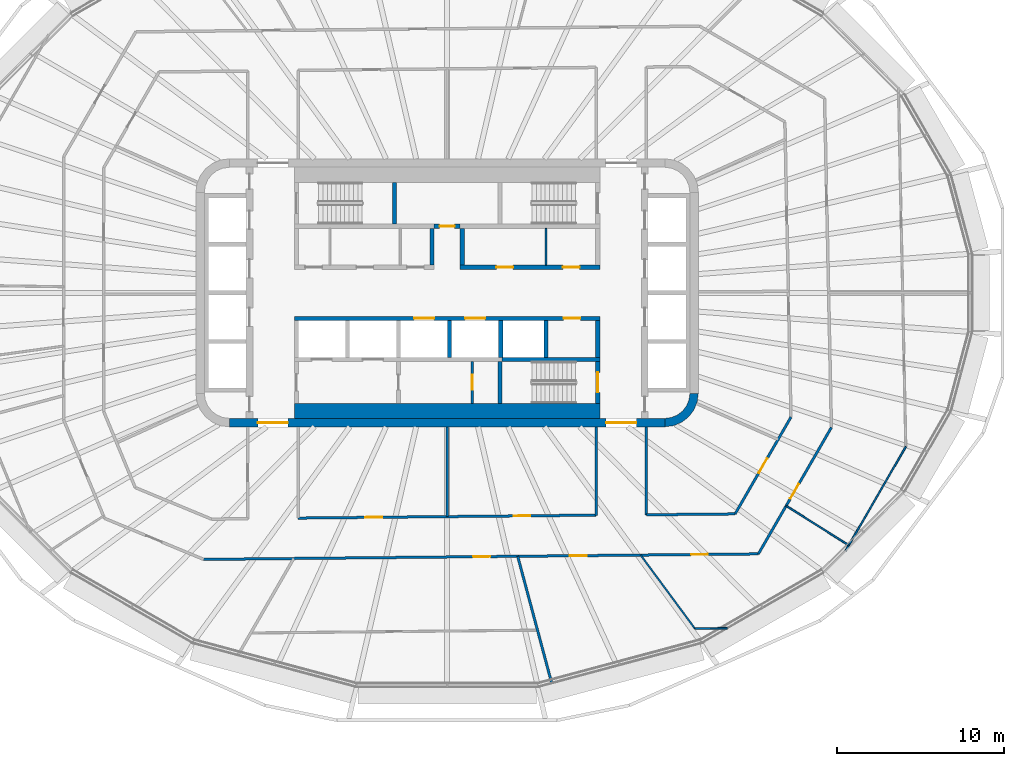
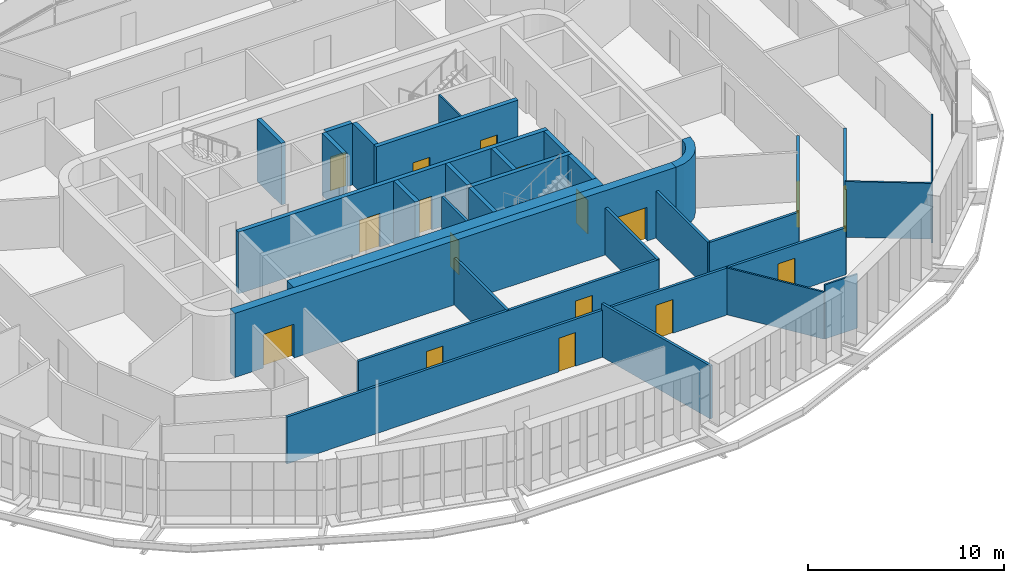
# One storey, part 13 of 23: 31 walls, 17 doors, 17 openings.
"""IFC4 building model written with IfcOpenShell, lengths in metres."""

from ifc_helpers import new_model, si_unit, direction, frame, frame_2d, origin, place, context, subcontext, project, spatial, polyline, rectangle, outline, extrude, material, layer, layer_set, type_object, element, fill, save


model = new_model("IFC4")

# Units and contexts
model_context = context("Model", 3, precision=1e-05, world=origin(), true_north=direction((0.0, 1.0)))
body_context = subcontext(model_context, "Body", "Model", "MODEL_VIEW")
ifc_project = project(units=[si_unit("LENGTHUNIT", "METRE"), si_unit("AREAUNIT", "SQUARE_METRE"), si_unit("VOLUMEUNIT", "CUBIC_METRE"), si_unit("PLANEANGLEUNIT", "RADIAN"), si_unit("MASSUNIT", "GRAM", prefix="KILO")], contexts=[model_context])

# Site, building, storey
site_placement = place(None, origin())
site = spatial("IfcSite", under=ifc_project, at=site_placement, CompositionType="ELEMENT")
building_placement = place(site_placement, origin())
building = spatial("IfcBuilding", under=site, at=building_placement, Name="Sahrelin Media Tower", CompositionType="ELEMENT")
storey_placement = place(building_placement, frame((0.0, 0.0, 161.60009765625)))
storey = spatial("IfcBuildingStorey", under=building, at=storey_placement, Name="L33", CompositionType="ELEMENT", Elevation=161.60009765625)

# Wall, openings, doors
ifc_material_1 = material(Name="Concrete C60/75", Category="concrete")
ifc_layer_1 = layer(ifc_material_1, 0.5)
ifc_layer_set_1 = layer_set([ifc_layer_1], Name="Core wall 500")
wall_type_1 = type_object("IfcWallType", Name="Core wall 500", PredefinedType="SHEAR", material=ifc_layer_set_1)
wall_1_placement = place(storey_placement, frame((-13.0, -7.75, 0.0), z_axis=(0.0, 0.0, 1.0), x_axis=(1.0, 0.0, 0.0)))
wall_1 = element("IfcWall", 1, at=wall_1_placement, inside=storey, type_object=wall_type_1, Name="Core wall S L33", PredefinedType="SHEAR", context=body_context, shape_type="SweptSolid", body=[
    extrude(rectangle(XDim=26.0, YDim=0.5, at=frame_2d((13.0, 0.0))), origin(), (0.0, 0.0, 1.0), 4.0),
])
opening_1_placement = place(wall_1_placement, frame((1.699951171875, 0.0, 0.0)))
opening_1 = element("IfcOpeningElement", 2, at=opening_1_placement, cuts=wall_1, Name="Opening L33-D20", PredefinedType="OPENING", context=body_context, shape_type="SweptSolid", body=[
    extrude(rectangle(XDim=1.800048828125, YDim=2.10009765625, at=frame_2d((0.89990234375, 1.050048828125))), frame((0.0, 0.25, 0.0), z_axis=(0.0, -1.0, 0.0), x_axis=(1.0, 0.0, 0.0)), (0.0, 0.0, 1.0), 0.5),
])
opening_2_placement = place(wall_1_placement, frame((22.5, 0.0, 0.0)))
opening_2 = element("IfcOpeningElement", 3, at=opening_2_placement, cuts=wall_1, Name="Opening L33-D21", PredefinedType="OPENING", context=body_context, shape_type="SweptSolid", body=[
    extrude(rectangle(XDim=1.800048828125, YDim=2.10009765625, at=frame_2d((0.89990234375, 1.050048828125))), frame((0.0, 0.25, 0.0), z_axis=(0.0, -1.0, 0.0), x_axis=(1.0, 0.0, 0.0)), (0.0, 0.0, 1.0), 0.5),
])
ifc_material_2 = material(Name="Steel fire door leaf", Category="steel")
door_type_1 = type_object("IfcDoorType", Name="Lobby double door 1800 x 2100 EI 60", OperationType="DOUBLE_DOOR_SINGLE_SWING", PredefinedType="DOOR", material=ifc_material_2)
door_1_placement = place(opening_1_placement, origin())
door_1 = element("IfcDoor", 4, at=door_1_placement, inside=storey, type_object=door_type_1, Name="Lobby door", OperationType="DOUBLE_DOOR_SINGLE_SWING", OverallHeight=2.10009765625, OverallWidth=1.800048828125, PredefinedType="DOOR", context=body_context, shape_type="SweptSolid", body=[
    extrude(rectangle(XDim=1.800048828125, YDim=2.10009765625, at=frame_2d((0.89990234375, 1.050048828125))), frame((0.0, 0.02490234375, 0.0), z_axis=(0.0, -1.0, 0.0), x_axis=(1.0, 0.0, 0.0)), (0.0, 0.0, 1.0), 0.050048828125),
])
fill(opening_1, door_1)
door_2_placement = place(opening_2_placement, origin())
door_2 = element("IfcDoor", 5, at=door_2_placement, inside=storey, type_object=door_type_1, Name="Lobby door", OperationType="DOUBLE_DOOR_SINGLE_SWING", OverallHeight=2.10009765625, OverallWidth=1.800048828125, PredefinedType="DOOR", context=body_context, shape_type="SweptSolid", body=[
    extrude(rectangle(XDim=1.800048828125, YDim=2.10009765625, at=frame_2d((0.89990234375, 1.050048828125))), frame((0.0, 0.02490234375, 0.0), z_axis=(0.0, -1.0, 0.0), x_axis=(1.0, 0.0, 0.0)), (0.0, 0.0, 1.0), 0.050048828125),
])
fill(opening_2, door_2)

# Wall
wall_2_placement = place(storey_placement, origin())
element("IfcWall", 6, at=wall_2_placement, inside=storey, type_object=wall_type_1, Name="Core wall corner SE L33", PredefinedType="SHEAR", context=body_context, shape_type="SweptSolid", body=[
    extrude(outline(polyline([(15.0, -6.0), (14.49560546875, -6.0), (14.44482421875, -6.38720703125), (14.29541015625, -6.747802734375), (14.0576171875, -7.0576171875), (13.747802734375, -7.29541015625), (13.38720703125, -7.44482421875), (13.0, -7.49560546875), (13.0, -8.0), (13.517578125, -7.931884765625), (14.0, -7.732177734375), (14.414306640625, -7.414306640625), (14.732177734375, -7.0), (14.931884765625, -6.517578125), (15.0, -6.0)])), origin(), (0.0, 0.0, 1.0), 4.0),
])

# Wall, opening, door
ifc_material_3 = material(Name="Fire-rated gypsum board partition")
ifc_layer_2 = layer(ifc_material_3, 0.25)
ifc_layer_set_2 = layer_set([ifc_layer_2], Name="Fire-rated lobby wall 250")
wall_type_2 = type_object("IfcWallType", Name="Fire-rated lobby wall 250", PredefinedType="PARTITIONING", material=ifc_layer_set_2)
wall_3_placement = place(storey_placement, frame((-0.77490234375, 3.97509765625, 0.0), z_axis=(0.0, 0.0, 1.0), x_axis=(1.0, 0.0, 0.0)))
wall_3 = element("IfcWall", 7, at=wall_3_placement, inside=storey, type_object=wall_type_2, Name="Core lobby wall", PredefinedType="PARTITIONING", context=body_context, shape_type="SweptSolid", body=[
    extrude(rectangle(XDim=1.5498046875, YDim=0.25, at=frame_2d((0.77490234375, 0.0))), origin(), (0.0, 0.0, 1.0), 3.849853515625),
])
opening_3_placement = place(wall_3_placement, frame((0.324951171875, 0.0, 0.0)))
opening_3 = element("IfcOpeningElement", 8, at=opening_3_placement, cuts=wall_3, Name="Opening L33-D06", PredefinedType="OPENING", context=body_context, shape_type="SweptSolid", body=[
    extrude(rectangle(XDim=0.89990234375, YDim=2.10009765625, at=frame_2d((0.449951171875, 1.050048828125))), frame((0.0, 0.125, 0.0), z_axis=(0.0, -1.0, 0.0), x_axis=(1.0, 0.0, 0.0)), (0.0, 0.0, 1.0), 0.25),
])
door_type_2 = type_object("IfcDoorType", Name="Riser door 900 x 2100 EI 120", OperationType="NOTDEFINED", PredefinedType="DOOR", material=ifc_material_2)
door_3_placement = place(opening_3_placement, origin())
door_3 = element("IfcDoor", 9, at=door_3_placement, inside=storey, type_object=door_type_2, Name="Core room door", OperationType="SINGLE_SWING_LEFT", OverallHeight=2.10009765625, OverallWidth=0.89990234375, PredefinedType="DOOR", context=body_context, shape_type="SweptSolid", body=[
    extrude(rectangle(XDim=0.89990234375, YDim=2.10009765625, at=frame_2d((0.449951171875, 1.050048828125))), frame((0.0, 0.02490234375, 0.0), z_axis=(0.0, -1.0, 0.0), x_axis=(1.0, 0.0, 0.0)), (0.0, 0.0, 1.0), 0.050048828125),
])
fill(opening_3, door_3)

# Wall, openings, doors
wall_4_placement = place(storey_placement, frame((0.77490234375, 1.52490234375, 0.0), z_axis=(0.0, 0.0, 1.0), x_axis=(1.0, 0.0, 0.0)))
wall_4 = element("IfcWall", 10, at=wall_4_placement, inside=storey, type_object=wall_type_2, Name="Core lobby wall", PredefinedType="PARTITIONING", context=body_context, shape_type="SweptSolid", body=[
    extrude(rectangle(XDim=8.35009765625, YDim=0.25, at=frame_2d((4.175048828125, 0.0))), origin(), (0.0, 0.0, 1.0), 3.849853515625),
])
opening_4_placement = place(wall_4_placement, frame((2.16259765625, 0.0, 0.0)))
opening_4 = element("IfcOpeningElement", 11, at=opening_4_placement, cuts=wall_4, Name="Opening L33-D11", PredefinedType="OPENING", context=body_context, shape_type="SweptSolid", body=[
    extrude(rectangle(XDim=1.0, YDim=2.10009765625, at=frame_2d((0.5, 1.050048828125))), frame((0.0, 0.125, 0.0), z_axis=(0.0, -1.0, 0.0), x_axis=(1.0, 0.0, 0.0)), (0.0, 0.0, 1.0), 0.25),
])
opening_5_placement = place(wall_4_placement, frame((6.137451171875, 0.0, 0.0)))
opening_5 = element("IfcOpeningElement", 12, at=opening_5_placement, cuts=wall_4, Name="Opening L33-D12", PredefinedType="OPENING", context=body_context, shape_type="SweptSolid", body=[
    extrude(rectangle(XDim=1.0, YDim=2.10009765625, at=frame_2d((0.5, 1.050048828125))), frame((0.0, 0.125, 0.0), z_axis=(0.0, -1.0, 0.0), x_axis=(1.0, 0.0, 0.0)), (0.0, 0.0, 1.0), 0.25),
])
door_type_3 = type_object("IfcDoorType", Name="Fire door 1000 x 2100 EI 60", OperationType="NOTDEFINED", PredefinedType="DOOR", material=ifc_material_2)
door_4_placement = place(opening_4_placement, origin())
door_4 = element("IfcDoor", 13, at=door_4_placement, inside=storey, type_object=door_type_3, Name="Core room door", OperationType="SINGLE_SWING_LEFT", OverallHeight=2.10009765625, OverallWidth=1.0, PredefinedType="DOOR", context=body_context, shape_type="SweptSolid", body=[
    extrude(rectangle(XDim=1.0, YDim=2.10009765625, at=frame_2d((0.5, 1.050048828125))), frame((0.0, 0.02490234375, 0.0), z_axis=(0.0, -1.0, 0.0), x_axis=(1.0, 0.0, 0.0)), (0.0, 0.0, 1.0), 0.050048828125),
])
fill(opening_4, door_4)
door_5_placement = place(opening_5_placement, origin())
door_5 = element("IfcDoor", 14, at=door_5_placement, inside=storey, type_object=door_type_3, Name="Core room door", OperationType="SINGLE_SWING_LEFT", OverallHeight=2.10009765625, OverallWidth=1.0, PredefinedType="DOOR", context=body_context, shape_type="SweptSolid", body=[
    extrude(rectangle(XDim=1.0, YDim=2.10009765625, at=frame_2d((0.5, 1.050048828125))), frame((0.0, 0.02490234375, 0.0), z_axis=(0.0, -1.0, 0.0), x_axis=(1.0, 0.0, 0.0)), (0.0, 0.0, 1.0), 0.050048828125),
])
fill(opening_5, door_5)

# Walls
for number, where, z_axis, x_axis, name in (
    (15, (-0.89990234375, 1.64990234375, 0.0), (0.0, 0.0, 1.0), (0.0, 1.0, 0.0), "Core lobby wall"),
    (16, (0.89990234375, 1.64990234375, 0.0), (0.0, 0.0, 1.0), (0.0, 1.0, 0.0), "Core lobby wall"),
):
    element("IfcWall", number, at=place(storey_placement, frame(where, z_axis=z_axis, x_axis=x_axis)), inside=storey, type_object=wall_type_2, Name=name, PredefinedType="PARTITIONING", context=body_context, shape_type="SweptSolid", body=[
        extrude(rectangle(XDim=2.2001953125, YDim=0.25, at=frame_2d((1.10009765625, 0.0))), origin(), (0.0, 0.0, 1.0), 3.849853515625),
    ])
ifc_layer_3 = layer(ifc_material_3, 0.10009765625)
ifc_layer_set_3 = layer_set([ifc_layer_3], Name="Fire-rated partition 100")
wall_type_3 = type_object("IfcWallType", Name="Fire-rated partition 100", PredefinedType="PARTITIONING", material=ifc_layer_set_3)
wall_5_placement = place(storey_placement, frame((5.89990234375, 1.64990234375, 0.0), z_axis=(0.0, 0.0, 1.0), x_axis=(0.0, 1.0, 0.0)))
element("IfcWall", 17, at=wall_5_placement, inside=storey, type_object=wall_type_3, Name="Core room partition", PredefinedType="PARTITIONING", context=body_context, shape_type="SweptSolid", body=[
    extrude(rectangle(XDim=2.2001953125, YDim=0.10009765625, at=frame_2d((1.10009765625, 0.0))), origin(), (0.0, 0.0, 1.0), 3.849853515625),
])

# Wall, opening, door
ifc_layer_4 = layer(ifc_material_3, 0.14990234375)
ifc_layer_set_4 = layer_set([ifc_layer_4], Name="Fire-rated partition 150")
wall_type_4 = type_object("IfcWallType", Name="Fire-rated partition 150", PredefinedType="PARTITIONING", material=ifc_layer_set_4)
wall_6_placement = place(storey_placement, frame((1.5, -6.60009765625, 0.0), z_axis=(0.0, 0.0, 1.0), x_axis=(0.0, 1.0, 0.0)))
wall_6 = element("IfcWall", 18, at=wall_6_placement, inside=storey, type_object=wall_type_4, Name="Core room fire partition", PredefinedType="PARTITIONING", context=body_context, shape_type="SweptSolid", body=[
    extrude(rectangle(XDim=2.5, YDim=0.14990234375, at=frame_2d((1.25, 0.0))), origin(), (0.0, 0.0, 1.0), 3.849853515625),
])
opening_6_placement = place(wall_6_placement, frame((0.800048828125, 0.0, 0.0)))
opening_6 = element("IfcOpeningElement", 19, at=opening_6_placement, cuts=wall_6, Name="Opening L33-D07", PredefinedType="OPENING", context=body_context, shape_type="SweptSolid", body=[
    extrude(rectangle(XDim=0.89990234375, YDim=2.10009765625, at=frame_2d((0.449951171875, 1.050048828125))), frame((0.0, 0.074951171875, 0.0), z_axis=(0.0, -1.0, 0.0), x_axis=(1.0, 0.0, 0.0)), (0.0, 0.0, 1.0), 0.14990234375),
])
door_type_4 = type_object("IfcDoorType", Name="Fire door 900 x 2100 EI 60", OperationType="NOTDEFINED", PredefinedType="DOOR", material=ifc_material_2)
door_6_placement = place(opening_6_placement, origin())
door_6 = element("IfcDoor", 20, at=door_6_placement, inside=storey, type_object=door_type_4, Name="Core room door", OperationType="SINGLE_SWING_RIGHT", OverallHeight=2.10009765625, OverallWidth=0.89990234375, PredefinedType="DOOR", context=body_context, shape_type="SweptSolid", body=[
    extrude(rectangle(XDim=0.89990234375, YDim=2.10009765625, at=frame_2d((0.449951171875, 1.050048828125))), frame((0.0, 0.02490234375, 0.0), z_axis=(0.0, -1.0, 0.0), x_axis=(1.0, 0.0, 0.0)), (0.0, 0.0, 1.0), 0.050048828125),
])
fill(opening_6, door_6)

# Wall
wall_7_placement = place(storey_placement, frame((4.215087890625, -15.72998046875, 0.0), z_axis=(0.0, 0.0, 1.0), x_axis=(0.25883349714, -0.965921953762, 0.0)))
element("IfcWall", 21, at=wall_7_placement, inside=storey, type_object=wall_type_4, Name="Wall", PredefinedType="PARTITIONING", context=body_context, shape_type="SweptSolid", body=[
    extrude(rectangle(XDim=7.8505859375, YDim=0.14990234375, at=frame_2d((3.92529296875, 0.0))), origin(), (0.0, 0.0, 1.0), 3.301513671875),
])

# Wall, openings, doors
wall_8_placement = place(storey_placement, frame((-14.533935546875, -15.916015625, 0.0), z_axis=(0.0, 0.0, 1.0), x_axis=(0.999950930262, 0.009906415532, 0.0)))
wall_8 = element("IfcWall", 22, at=wall_8_placement, inside=storey, type_object=wall_type_4, Name="Wall", PredefinedType="PARTITIONING", context=body_context, shape_type="SweptSolid", body=[
    extrude(rectangle(XDim=33.12255859375, YDim=0.14990234375, at=frame_2d((16.561279296875, 0.0))), origin(), (0.0, 0.0, 1.0), 2.927001953125),
])
opening_7_placement = place(wall_8_placement, frame((16.11083984375, 0.0, 0.0)))
opening_7 = element("IfcOpeningElement", 23, at=opening_7_placement, cuts=wall_8, Name="Opening L33-D42", PredefinedType="OPENING", context=body_context, shape_type="SweptSolid", body=[
    extrude(rectangle(XDim=1.0, YDim=2.10009765625, at=frame_2d((0.5, 1.050048828125))), frame((0.0, 0.074951171875, 0.0), z_axis=(0.0, -1.0, 0.0), x_axis=(1.0, 0.0, 0.0)), (0.0, 0.0, 1.0), 0.14990234375),
])
opening_8_placement = place(wall_8_placement, frame((21.868896484375, 0.0, 0.0)))
opening_8 = element("IfcOpeningElement", 24, at=opening_8_placement, cuts=wall_8, Name="Opening L33-D44", PredefinedType="OPENING", context=body_context, shape_type="SweptSolid", body=[
    extrude(rectangle(XDim=1.0, YDim=2.10009765625, at=frame_2d((0.5, 1.050048828125))), frame((0.0, 0.074951171875, 0.0), z_axis=(0.0, -1.0, 0.0), x_axis=(1.0, 0.0, 0.0)), (0.0, 0.0, 1.0), 0.14990234375),
])
opening_9_placement = place(wall_8_placement, frame((29.105712890625, 0.0, 0.0)))
opening_9 = element("IfcOpeningElement", 25, at=opening_9_placement, cuts=wall_8, Name="Opening L33-D45", PredefinedType="OPENING", context=body_context, shape_type="SweptSolid", body=[
    extrude(rectangle(XDim=1.0, YDim=2.10009765625, at=frame_2d((0.5, 1.050048828125))), frame((0.0, 0.074951171875, 0.0), z_axis=(0.0, -1.0, 0.0), x_axis=(1.0, 0.0, 0.0)), (0.0, 0.0, 1.0), 0.14990234375),
])
door_7_placement = place(opening_7_placement, origin())
door_7 = element("IfcDoor", 26, at=door_7_placement, inside=storey, type_object=door_type_3, Name="Fire door", OperationType="SINGLE_SWING_RIGHT", OverallHeight=2.10009765625, OverallWidth=1.0, PredefinedType="DOOR", context=body_context, shape_type="SweptSolid", body=[
    extrude(rectangle(XDim=1.0, YDim=2.10009765625, at=frame_2d((0.5, 1.050048828125))), frame((0.0, 0.02490234375, 0.0), z_axis=(0.0, -1.0, 0.0), x_axis=(1.0, 0.0, 0.0)), (0.0, 0.0, 1.0), 0.050048828125),
])
fill(opening_7, door_7)
door_8_placement = place(opening_8_placement, origin())
door_8 = element("IfcDoor", 27, at=door_8_placement, inside=storey, type_object=door_type_3, Name="Fire door", OperationType="SINGLE_SWING_LEFT", OverallHeight=2.10009765625, OverallWidth=1.0, PredefinedType="DOOR", context=body_context, shape_type="SweptSolid", body=[
    extrude(rectangle(XDim=1.0, YDim=2.10009765625, at=frame_2d((0.5, 1.050048828125))), frame((0.0, 0.02490234375, 0.0), z_axis=(0.0, -1.0, 0.0), x_axis=(1.0, 0.0, 0.0)), (0.0, 0.0, 1.0), 0.050048828125),
])
fill(opening_8, door_8)
door_9_placement = place(opening_9_placement, origin())
door_9 = element("IfcDoor", 28, at=door_9_placement, inside=storey, type_object=door_type_3, Name="Fire door", OperationType="SINGLE_SWING_LEFT", OverallHeight=2.10009765625, OverallWidth=1.0, PredefinedType="DOOR", context=body_context, shape_type="SweptSolid", body=[
    extrude(rectangle(XDim=1.0, YDim=2.10009765625, at=frame_2d((0.5, 1.050048828125))), frame((0.0, 0.02490234375, 0.0), z_axis=(0.0, -1.0, 0.0), x_axis=(1.0, 0.0, 0.0)), (0.0, 0.0, 1.0), 0.050048828125),
])
fill(opening_9, door_9)

wall_9_placement = place(storey_placement, frame((-8.89990234375, -13.44873046875, 0.0), z_axis=(0.0, 0.0, 1.0), x_axis=(0.999951105691, 0.009888691875, 0.0)))
wall_9 = element("IfcWall", 29, at=wall_9_placement, inside=storey, type_object=wall_type_4, Name="Wall", PredefinedType="PARTITIONING", context=body_context, shape_type="SweptSolid", body=[
    extrude(rectangle(XDim=17.80078125, YDim=0.14990234375, at=frame_2d((8.900390625, 0.0))), origin(), (0.0, 0.0, 1.0), 2.927001953125),
])
opening_10_placement = place(wall_9_placement, frame((4.018798828125, 0.0, 0.0)))
opening_10 = element("IfcOpeningElement", 30, at=opening_10_placement, cuts=wall_9, Name="Opening L33-D22", PredefinedType="OPENING", context=body_context, shape_type="SweptSolid", body=[
    extrude(rectangle(XDim=1.0, YDim=2.10009765625, at=frame_2d((0.5, 1.050048828125))), frame((0.0, 0.074951171875, 0.0), z_axis=(0.0, -1.0, 0.0), x_axis=(1.0, 0.0, 0.0)), (0.0, 0.0, 1.0), 0.14990234375),
])
opening_11_placement = place(wall_9_placement, frame((12.873046875, 0.0, 0.0)))
opening_11 = element("IfcOpeningElement", 31, at=opening_11_placement, cuts=wall_9, Name="Opening L33-D23", PredefinedType="OPENING", context=body_context, shape_type="SweptSolid", body=[
    extrude(rectangle(XDim=1.0, YDim=2.10009765625, at=frame_2d((0.5, 1.050048828125))), frame((0.0, 0.074951171875, 0.0), z_axis=(0.0, -1.0, 0.0), x_axis=(1.0, 0.0, 0.0)), (0.0, 0.0, 1.0), 0.14990234375),
])
door_10_placement = place(opening_10_placement, origin())
door_10 = element("IfcDoor", 32, at=door_10_placement, inside=storey, type_object=door_type_3, Name="Fire door", OperationType="SINGLE_SWING_RIGHT", OverallHeight=2.10009765625, OverallWidth=1.0, PredefinedType="DOOR", context=body_context, shape_type="SweptSolid", body=[
    extrude(rectangle(XDim=1.0, YDim=2.10009765625, at=frame_2d((0.5, 1.050048828125))), frame((0.0, 0.02490234375, 0.0), z_axis=(0.0, -1.0, 0.0), x_axis=(1.0, 0.0, 0.0)), (0.0, 0.0, 1.0), 0.050048828125),
])
fill(opening_10, door_10)
door_11_placement = place(opening_11_placement, origin())
door_11 = element("IfcDoor", 33, at=door_11_placement, inside=storey, type_object=door_type_3, Name="Fire door", OperationType="SINGLE_SWING_LEFT", OverallHeight=2.10009765625, OverallWidth=1.0, PredefinedType="DOOR", context=body_context, shape_type="SweptSolid", body=[
    extrude(rectangle(XDim=1.0, YDim=2.10009765625, at=frame_2d((0.5, 1.050048828125))), frame((0.0, 0.02490234375, 0.0), z_axis=(0.0, -1.0, 0.0), x_axis=(1.0, 0.0, 0.0)), (0.0, 0.0, 1.0), 0.050048828125),
])
fill(opening_11, door_11)

# Wall
wall_10_placement = place(storey_placement, frame((11.89990234375, -13.2529296875, 0.0), z_axis=(0.0, 0.0, 1.0), x_axis=(0.999951309192, 0.009868092237, 0.0)))
element("IfcWall", 34, at=wall_10_placement, inside=storey, type_object=wall_type_4, Name="Wall", PredefinedType="PARTITIONING", context=body_context, shape_type="SweptSolid", body=[
    extrude(rectangle(XDim=5.29443359375, YDim=0.14990234375, at=frame_2d((2.647216796875, 0.0))), origin(), (0.0, 0.0, 1.0), 2.927001953125),
])

# Wall, opening, door
wall_11_placement = place(storey_placement, frame((18.5869140625, -15.5869140625, 0.0), z_axis=(0.0, 0.0, 1.0), x_axis=(0.500026433136, 0.866010142069, 0.0)))
wall_11 = element("IfcWall", 35, at=wall_11_placement, inside=storey, type_object=wall_type_4, Name="Wall", PredefinedType="PARTITIONING", context=body_context, shape_type="SweptSolid", body=[
    extrude(rectangle(XDim=8.71337890625, YDim=0.14990234375, at=frame_2d((4.356689453125, 0.0))), origin(), (0.0, 0.0, 1.0), 2.994873046875),
])
opening_12_placement = place(wall_11_placement, frame((3.80712890625, 0.0, 0.0)))
opening_12 = element("IfcOpeningElement", 36, at=opening_12_placement, cuts=wall_11, Name="Opening L33-D46", PredefinedType="OPENING", context=body_context, shape_type="SweptSolid", body=[
    extrude(rectangle(XDim=1.0, YDim=2.10009765625, at=frame_2d((0.5, 1.050048828125))), frame((0.0, 0.074951171875, 0.0), z_axis=(0.0, -1.0, 0.0), x_axis=(1.0, 0.0, 0.0)), (0.0, 0.0, 1.0), 0.14990234375),
])
door_12_placement = place(opening_12_placement, origin())
door_12 = element("IfcDoor", 37, at=door_12_placement, inside=storey, type_object=door_type_3, Name="Fire door", OperationType="SINGLE_SWING_LEFT", OverallHeight=2.10009765625, OverallWidth=1.0, PredefinedType="DOOR", context=body_context, shape_type="SweptSolid", body=[
    extrude(rectangle(XDim=1.0, YDim=2.10009765625, at=frame_2d((0.5, 1.050048828125))), frame((0.0, 0.02490234375, 0.0), z_axis=(0.0, -1.0, 0.0), x_axis=(1.0, 0.0, 0.0)), (0.0, 0.0, 1.0), 0.050048828125),
])
fill(opening_12, door_12)

wall_12_placement = place(storey_placement, frame((17.194091796875, -13.200927734375, 0.0), z_axis=(0.0, 0.0, 1.0), x_axis=(0.499983182885, 0.866035112932, 0.0)))
wall_12 = element("IfcWall", 38, at=wall_12_placement, inside=storey, type_object=wall_type_4, Name="Wall", PredefinedType="PARTITIONING", context=body_context, shape_type="SweptSolid", body=[
    extrude(rectangle(XDim=6.673583984375, YDim=0.14990234375, at=frame_2d((3.3369140625, 0.0))), origin(), (0.0, 0.0, 1.0), 2.994873046875),
])
opening_13_placement = place(wall_12_placement, frame((2.83349609375, 0.0, 0.0)))
opening_13 = element("IfcOpeningElement", 39, at=opening_13_placement, cuts=wall_12, Name="Opening L33-D24", PredefinedType="OPENING", context=body_context, shape_type="SweptSolid", body=[
    extrude(rectangle(XDim=1.0, YDim=2.10009765625, at=frame_2d((0.5, 1.050048828125))), frame((0.0, 0.074951171875, 0.0), z_axis=(0.0, -1.0, 0.0), x_axis=(1.0, 0.0, 0.0)), (0.0, 0.0, 1.0), 0.14990234375),
])
door_13_placement = place(opening_13_placement, origin())
door_13 = element("IfcDoor", 40, at=door_13_placement, inside=storey, type_object=door_type_3, Name="Fire door", OperationType="SINGLE_SWING_RIGHT", OverallHeight=2.10009765625, OverallWidth=1.0, PredefinedType="DOOR", context=body_context, shape_type="SweptSolid", body=[
    extrude(rectangle(XDim=1.0, YDim=2.10009765625, at=frame_2d((0.5, 1.050048828125))), frame((0.0, 0.02490234375, 0.0), z_axis=(0.0, -1.0, 0.0), x_axis=(1.0, 0.0, 0.0)), (0.0, 0.0, 1.0), 0.050048828125),
])
fill(opening_13, door_13)

# Walls
wall_13_placement = place(storey_placement, frame((11.89990234375, -13.2529296875, 0.0), z_axis=(0.0, 0.0, 1.0), x_axis=(0.0, 1.0, 0.0)))
element("IfcWall", 41, at=wall_13_placement, inside=storey, type_object=wall_type_4, Name="Wall", PredefinedType="PARTITIONING", context=body_context, shape_type="SweptSolid", body=[
    extrude(rectangle(XDim=5.2529296875, YDim=0.14990234375, at=frame_2d((2.62646484375, 0.0))), origin(), (0.0, 0.0, 1.0), 2.927001953125),
])
wall_14_placement = place(storey_placement, frame((8.89990234375, -13.282958984375, 0.0), z_axis=(0.0, 0.0, 1.0), x_axis=(0.0, 1.0, 0.0)))
element("IfcWall", 42, at=wall_14_placement, inside=storey, type_object=wall_type_4, Name="Wall", PredefinedType="PARTITIONING", context=body_context, shape_type="SweptSolid", body=[
    extrude(rectangle(XDim=5.282958984375, YDim=0.14990234375, at=frame_2d((2.6416015625, 0.0))), origin(), (0.0, 0.0, 1.0), 2.927001953125),
])
wall_15_placement = place(storey_placement, frame((0.0, -13.361083984375, 0.0), z_axis=(0.0, 0.0, 1.0), x_axis=(0.0, 1.0, 0.0)))
element("IfcWall", 43, at=wall_15_placement, inside=storey, type_object=wall_type_4, Name="Wall", PredefinedType="PARTITIONING", context=body_context, shape_type="SweptSolid", body=[
    extrude(rectangle(XDim=5.361083984375, YDim=0.14990234375, at=frame_2d((2.6806640625, 0.0))), origin(), (0.0, 0.0, 1.0), 2.927001953125),
])

# Wall, openings, doors
ifc_layer_5 = layer(ifc_material_1, 0.25)
ifc_layer_set_5 = layer_set([ifc_layer_5], Name="Lift shaft wall 250")
wall_type_5 = type_object("IfcWallType", Name="Lift shaft wall 250", PredefinedType="SOLIDWALL", material=ifc_layer_set_5)
wall_16_placement = place(storey_placement, frame((-9.125, -1.52490234375, 0.0), z_axis=(0.0, 0.0, 1.0), x_axis=(1.0, 0.0, 0.0)))
wall_16 = element("IfcWall", 44, at=wall_16_placement, inside=storey, type_object=wall_type_5, Name="Lift shaft wall", PredefinedType="SOLIDWALL", context=body_context, shape_type="SweptSolid", body=[
    extrude(rectangle(XDim=18.25, YDim=0.25, at=frame_2d((9.125, 0.0))), origin(), (0.0, 0.0, 1.0), 3.849853515625),
])
opening_14_placement = place(wall_16_placement, frame((7.14990234375, 0.0, 0.0)))
opening_14 = element("IfcOpeningElement", 45, at=opening_14_placement, cuts=wall_16, Name="Opening L33-LD-SV1", PredefinedType="OPENING", context=body_context, shape_type="SweptSolid", body=[
    extrude(rectangle(XDim=1.199951171875, YDim=2.10009765625, at=frame_2d((0.60009765625, 1.050048828125))), frame((0.0, 0.125, 0.0), z_axis=(0.0, -1.0, 0.0), x_axis=(1.0, 0.0, 0.0)), (0.0, 0.0, 1.0), 0.25),
])
opening_15_placement = place(wall_16_placement, frame((10.199951171875, 0.0, 0.0)))
opening_15 = element("IfcOpeningElement", 46, at=opening_15_placement, cuts=wall_16, Name="Opening L33-LD-SV2", PredefinedType="OPENING", context=body_context, shape_type="SweptSolid", body=[
    extrude(rectangle(XDim=1.199951171875, YDim=2.10009765625, at=frame_2d((0.60009765625, 1.050048828125))), frame((0.0, 0.125, 0.0), z_axis=(0.0, -1.0, 0.0), x_axis=(1.0, 0.0, 0.0)), (0.0, 0.0, 1.0), 0.25),
])
opening_16_placement = place(wall_16_placement, frame((16.074951171875, 0.0, 0.0)))
opening_16 = element("IfcOpeningElement", 47, at=opening_16_placement, cuts=wall_16, Name="Opening L33-D13", PredefinedType="OPENING", context=body_context, shape_type="SweptSolid", body=[
    extrude(rectangle(XDim=1.0, YDim=2.10009765625, at=frame_2d((0.5, 1.050048828125))), frame((0.0, 0.125, 0.0), z_axis=(0.0, -1.0, 0.0), x_axis=(1.0, 0.0, 0.0)), (0.0, 0.0, 1.0), 0.25),
])
door_14_placement = place(opening_16_placement, origin())
door_14 = element("IfcDoor", 48, at=door_14_placement, inside=storey, type_object=door_type_3, Name="Core room door", OperationType="SINGLE_SWING_RIGHT", OverallHeight=2.10009765625, OverallWidth=1.0, PredefinedType="DOOR", context=body_context, shape_type="SweptSolid", body=[
    extrude(rectangle(XDim=1.0, YDim=2.10009765625, at=frame_2d((0.5, 1.050048828125))), frame((0.0, 0.02490234375, 0.0), z_axis=(0.0, -1.0, 0.0), x_axis=(1.0, 0.0, 0.0)), (0.0, 0.0, 1.0), 0.050048828125),
])
fill(opening_16, door_14)
ifc_material_4 = material(Name="Stainless steel", Category="steel")
door_type_5 = type_object("IfcDoorType", Name="Lift landing door 1200 x 2100 EI 120", OperationType="DOUBLE_DOOR_SLIDING", PredefinedType="DOOR", material=ifc_material_4)
door_15_placement = place(opening_14_placement, origin())
door_15 = element("IfcDoor", 49, at=door_15_placement, inside=storey, type_object=door_type_5, Name="Lift landing door SV1", OperationType="DOUBLE_DOOR_SLIDING", OverallHeight=2.10009765625, OverallWidth=1.199951171875, PredefinedType="DOOR", context=body_context, shape_type="SweptSolid", body=[
    extrude(rectangle(XDim=1.199951171875, YDim=2.10009765625, at=frame_2d((0.60009765625, 1.050048828125))), frame((0.0, 0.02490234375, 0.0), z_axis=(0.0, -1.0, 0.0), x_axis=(1.0, 0.0, 0.0)), (0.0, 0.0, 1.0), 0.050048828125),
])
fill(opening_14, door_15)
door_16_placement = place(opening_15_placement, origin())
door_16 = element("IfcDoor", 50, at=door_16_placement, inside=storey, type_object=door_type_5, Name="Lift landing door SV2", OperationType="DOUBLE_DOOR_SLIDING", OverallHeight=2.10009765625, OverallWidth=1.199951171875, PredefinedType="DOOR", context=body_context, shape_type="SweptSolid", body=[
    extrude(rectangle(XDim=1.199951171875, YDim=2.10009765625, at=frame_2d((0.60009765625, 1.050048828125))), frame((0.0, 0.02490234375, 0.0), z_axis=(0.0, -1.0, 0.0), x_axis=(1.0, 0.0, 0.0)), (0.0, 0.0, 1.0), 0.050048828125),
])
fill(opening_15, door_16)

# Walls
wall_17_placement = place(storey_placement, frame((3.27490234375, -3.97509765625, 0.0), z_axis=(0.0, 0.0, 1.0), x_axis=(1.0, 0.0, 0.0)))
element("IfcWall", 51, at=wall_17_placement, inside=storey, type_object=wall_type_5, Name="Lift shaft wall", PredefinedType="SOLIDWALL", context=body_context, shape_type="SweptSolid", body=[
    extrude(rectangle(XDim=5.85009765625, YDim=0.25, at=frame_2d((2.925048828125, 0.0))), origin(), (0.0, 0.0, 1.0), 3.849853515625),
])
for number, where, z_axis, x_axis, name in (
    (52, (0.14990234375, -3.85009765625, 0.0), (0.0, 0.0, 1.0), (0.0, 1.0, 0.0), "Lift shaft wall"),
    (53, (3.199951171875, -3.85009765625, 0.0), (0.0, 0.0, 1.0), (0.0, 1.0, 0.0), "Lift shaft wall"),
    (54, (5.89990234375, -3.85009765625, 0.0), (0.0, 0.0, 1.0), (0.0, 1.0, 0.0), "Lift shaft wall"),
    (55, (9.0, -3.85009765625, 0.0), (0.0, 0.0, 1.0), (0.0, 1.0, 0.0), "Lift shaft wall"),
):
    element("IfcWall", number, at=place(storey_placement, frame(where, z_axis=z_axis, x_axis=x_axis)), inside=storey, type_object=wall_type_5, Name=name, PredefinedType="SOLIDWALL", context=body_context, shape_type="SweptSolid", body=[
        extrude(rectangle(XDim=2.2001953125, YDim=0.25, at=frame_2d((1.10009765625, 0.0))), origin(), (0.0, 0.0, 1.0), 3.849853515625),
    ])
ifc_material_5 = material(Name="Gypsum board partition")
ifc_layer_6 = layer(ifc_material_5, 0.10009765625)
ifc_layer_set_6 = layer_set([ifc_layer_6], Name="Partition 100")
wall_type_6 = type_object("IfcWallType", Name="Partition 100", PredefinedType="PARTITIONING", material=ifc_layer_set_6)
wall_18_placement = place(storey_placement, frame((11.554931640625, -15.656982421875, 0.0), z_axis=(0.0, 0.0, 1.0), x_axis=(0.593887483444, -0.80454810733, 0.0)))
element("IfcWall", 56, at=wall_18_placement, inside=storey, type_object=wall_type_6, Name="Wall", PredefinedType="PARTITIONING", context=body_context, shape_type="SweptSolid", body=[
    extrude(rectangle(XDim=5.453857421875, YDim=0.10009765625, at=frame_2d((2.72705078125, 0.0))), origin(), (0.0, 0.0, 1.0), 2.927001953125),
])
wall_19_placement = place(storey_placement, frame((20.242919921875, -12.718994140625, 0.0), z_axis=(0.0, 0.0, 1.0), x_axis=(0.846680609893, -0.532101442237, 0.0)))
element("IfcWall", 57, at=wall_19_placement, inside=storey, type_object=wall_type_6, Name="Wall", PredefinedType="PARTITIONING", context=body_context, shape_type="SweptSolid", body=[
    extrude(rectangle(XDim=4.422119140625, YDim=0.10009765625, at=frame_2d((2.2109375, 0.0))), origin(), (0.0, 0.0, 1.0), 3.474853515625),
])
wall_20_placement = place(storey_placement, frame((14.7939453125, -20.044921875, 0.0), z_axis=(0.0, 0.0, 1.0), x_axis=(0.999951932943, 0.009804682686, 0.0)))
element("IfcWall", 58, at=wall_20_placement, inside=storey, type_object=wall_type_6, Name="Wall", PredefinedType="PARTITIONING", context=body_context, shape_type="SweptSolid", body=[
    extrude(rectangle(XDim=1.942138671875, YDim=0.10009765625, at=frame_2d((0.97119140625, 0.0))), origin(), (0.0, 0.0, 1.0), 3.372802734375),
])
wall_21_placement = place(storey_placement, frame((23.794921875, -15.405029296875, 0.0), z_axis=(0.0, 0.0, 1.0), x_axis=(0.50004207551, 0.866001110115, 0.0)))
element("IfcWall", 59, at=wall_21_placement, inside=storey, type_object=wall_type_6, Name="Wall", PredefinedType="PARTITIONING", context=body_context, shape_type="SweptSolid", body=[
    extrude(rectangle(XDim=7.18505859375, YDim=0.10009765625, at=frame_2d((3.592529296875, 0.0))), origin(), (0.0, 0.0, 1.0), 2.994873046875),
])

# Wall, opening, door
ifc_layer_7 = layer(ifc_material_1, 0.25)
ifc_layer_set_7 = layer_set([ifc_layer_7], Name="Stair enclosure wall 250")
wall_type_7 = type_object("IfcWallType", Name="Stair enclosure wall 250", PredefinedType="SOLIDWALL", material=ifc_layer_set_7)
wall_22_placement = place(storey_placement, frame((9.0, -6.60009765625, 0.0), z_axis=(0.0, 0.0, 1.0), x_axis=(0.0, 1.0, 0.0)))
wall_22 = element("IfcWall", 60, at=wall_22_placement, inside=storey, type_object=wall_type_7, Name="Stair enclosure wall", PredefinedType="SOLIDWALL", context=body_context, shape_type="SweptSolid", body=[
    extrude(rectangle(XDim=2.5, YDim=0.25, at=frame_2d((1.25, 0.0))), origin(), (0.0, 0.0, 1.0), 3.849853515625),
])
opening_17_placement = place(wall_22_placement, frame((0.64990234375, 0.0, 0.0)))
opening_17 = element("IfcOpeningElement", 61, at=opening_17_placement, cuts=wall_22, Name="Opening L33-D03", PredefinedType="OPENING", context=body_context, shape_type="SweptSolid", body=[
    extrude(rectangle(XDim=1.199951171875, YDim=2.10009765625, at=frame_2d((0.60009765625, 1.050048828125))), frame((0.0, 0.125, 0.0), z_axis=(0.0, -1.0, 0.0), x_axis=(1.0, 0.0, 0.0)), (0.0, 0.0, 1.0), 0.25),
])
door_type_6 = type_object("IfcDoorType", Name="Stair door 1200 x 2100 EI 120", OperationType="NOTDEFINED", PredefinedType="DOOR", material=ifc_material_2)
door_17_placement = place(opening_17_placement, origin())
door_17 = element("IfcDoor", 62, at=door_17_placement, inside=storey, type_object=door_type_6, Name="Stair door ST2", OperationType="SINGLE_SWING_LEFT", OverallHeight=2.10009765625, OverallWidth=1.199951171875, PredefinedType="DOOR", context=body_context, shape_type="SweptSolid", body=[
    extrude(rectangle(XDim=1.199951171875, YDim=2.10009765625, at=frame_2d((0.60009765625, 1.050048828125))), frame((0.0, 0.02490234375, 0.0), z_axis=(0.0, -1.0, 0.0), x_axis=(1.0, 0.0, 0.0)), (0.0, 0.0, 1.0), 0.050048828125),
])
fill(opening_17, door_17)

# Walls
for number, where, z_axis, x_axis, name in (
    (63, (-3.14990234375, 4.10009765625, 0.0), (0.0, 0.0, 1.0), (0.0, 1.0, 0.0), "Stair enclosure wall"),
    (64, (3.14990234375, -6.60009765625, 0.0), (0.0, 0.0, 1.0), (0.0, 1.0, 0.0), "Stair enclosure wall"),
):
    element("IfcWall", number, at=place(storey_placement, frame(where, z_axis=z_axis, x_axis=x_axis)), inside=storey, type_object=wall_type_7, Name=name, PredefinedType="SOLIDWALL", context=body_context, shape_type="SweptSolid", body=[
        extrude(rectangle(XDim=2.5, YDim=0.25, at=frame_2d((1.25, 0.0))), origin(), (0.0, 0.0, 1.0), 3.849853515625),
    ])
ifc_layer_8 = layer(ifc_material_1, 0.89990234375)
ifc_layer_set_8 = layer_set([ifc_layer_8], Name="Stair enclosure wall 900")
wall_type_8 = type_object("IfcWallType", Name="Stair enclosure wall 900", PredefinedType="SOLIDWALL", material=ifc_layer_set_8)
wall_23_placement = place(storey_placement, frame((-9.125, -7.050048828125, 0.0), z_axis=(0.0, 0.0, 1.0), x_axis=(1.0, 0.0, 0.0)))
element("IfcWall", 65, at=wall_23_placement, inside=storey, type_object=wall_type_8, Name="Stair enclosure wall", PredefinedType="SOLIDWALL", context=body_context, shape_type="SweptSolid", body=[
    extrude(rectangle(XDim=18.25, YDim=0.89990234375, at=frame_2d((9.125, 0.0))), origin(), (0.0, 0.0, 1.0), 3.849853515625),
])

save(model, "model.ifc")
